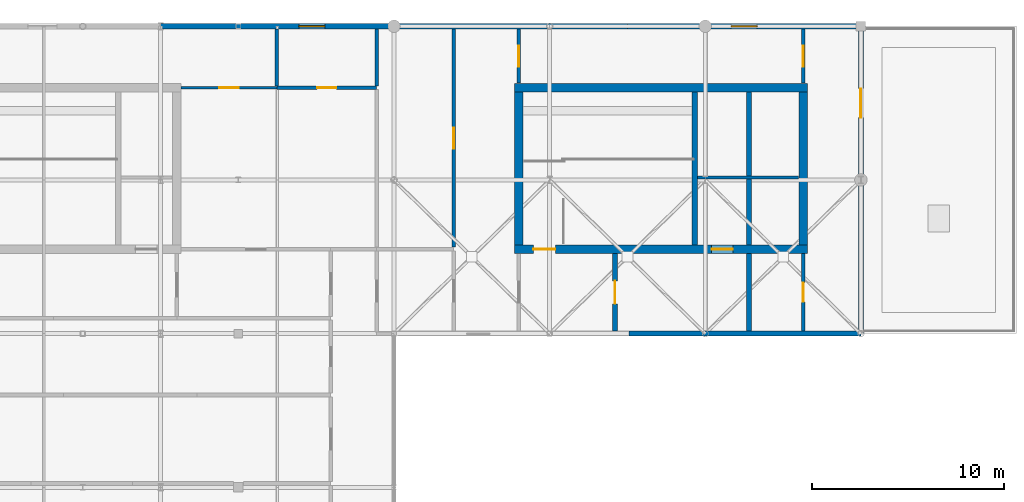
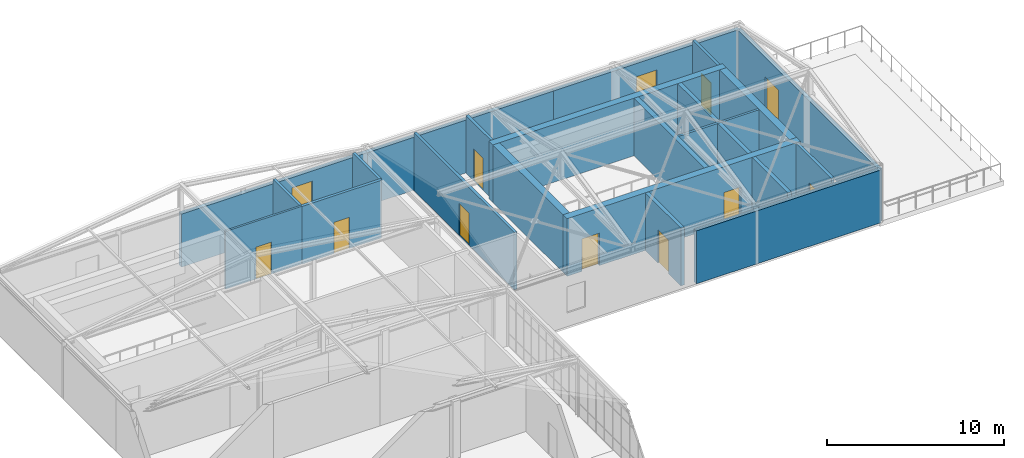
# One storey, part 20 of 21: 22 walls, 10 doors, 2 windows, 12 openings.
"""IFC4 building model written with IfcOpenShell, lengths in metres."""

from ifc_helpers import new_model, si_unit, direction, frame, frame_2d, origin, place, context, subcontext, project, spatial, rectangle, extrude, material, layer, layer_set, type_object, element, fill, save


model = new_model("IFC4")

# Units and contexts
model_context = context("Model", 3, precision=1e-05, world=origin(), true_north=direction((0.0, 1.0)))
body_context = subcontext(model_context, "Body", "Model", "MODEL_VIEW")
ifc_project = project(units=[si_unit("LENGTHUNIT", "METRE"), si_unit("AREAUNIT", "SQUARE_METRE"), si_unit("VOLUMEUNIT", "CUBIC_METRE"), si_unit("PLANEANGLEUNIT", "RADIAN"), si_unit("MASSUNIT", "GRAM", prefix="KILO")], contexts=[model_context])

# Site, building, storey
site_placement = place(None, origin())
site = spatial("IfcSite", under=ifc_project, at=site_placement, CompositionType="ELEMENT")
building_placement = place(site_placement, origin())
building = spatial("IfcBuilding", under=site, at=building_placement, Name="Tarnveldt Square Police Headquarters", CompositionType="ELEMENT")
storey_placement = place(building_placement, frame((0.0, 0.0, 33.300048828125)))
storey = spatial("IfcBuildingStorey", under=building, at=storey_placement, Name="L07", CompositionType="ELEMENT", Elevation=33.300048828125)

# Wall, openings, doors
ifc_material_1 = material(Name="Concrete 50 MPa", Category="concrete")
ifc_layer_1 = layer(ifc_material_1, 0.449951171875)
ifc_layer_set_1 = layer_set([ifc_layer_1], Name="Concrete 50 MPa")
wall_type_1 = type_object("IfcWallType", Name="WL-CORE-450", PredefinedType="SHEAR", material=ifc_layer_set_1)
wall_1_placement = place(storey_placement, frame((46.77490234375, 100.39990234375, 0.0), z_axis=(0.0, 0.0, 1.0), x_axis=(1.0, 0.0, 0.0)))
wall_1 = element("IfcWall", 1, at=wall_1_placement, inside=storey, type_object=wall_type_1, Name="Core K3 North-Central Forensic and Firefighting Core L07 South Shear Wall", PredefinedType="SHEAR", context=body_context, shape_type="SweptSolid", body=[
    extrude(rectangle(XDim=15.25, YDim=0.449951171875, at=frame_2d((7.625, 0.0))), origin(), (0.0, 0.0, 1.0), 3.97998046875),
])
opening_1_placement = place(wall_1_placement, frame((0.97509765625, 0.0, 0.0)))
opening_1 = element("IfcOpeningElement", 2, at=opening_1_placement, cuts=wall_1, Name="Opening D-ST3-L07", PredefinedType="OPENING", context=body_context, shape_type="SweptSolid", body=[
    extrude(rectangle(XDim=1.14990234375, YDim=2.25, at=frame_2d((0.574951171875, 1.125))), frame((0.0, 0.23486328125, 0.0), z_axis=(0.0, -1.0, 0.0), x_axis=(1.0, 0.0, 0.0)), (0.0, 0.0, 1.0), 0.469970703125),
])
opening_2_placement = place(wall_1_placement, frame((10.257568359375, 0.0, 0.0)))
opening_2 = element("IfcOpeningElement", 3, at=opening_2_placement, cuts=wall_1, Name="Opening LD-LF2-L07", PredefinedType="OPENING", context=body_context, shape_type="SweptSolid", body=[
    extrude(rectangle(XDim=1.10009765625, YDim=2.199951171875, at=frame_2d((0.550048828125, 1.10009765625))), frame((0.0, 0.23486328125, 0.0), z_axis=(0.0, -1.0, 0.0), x_axis=(1.0, 0.0, 0.0)), (0.0, 0.0, 1.0), 0.469970703125),
])
ifc_material_2 = material(Name="Insulated hollow metal steel door leaf", Category="steel")
door_type_1 = type_object("IfcDoorType", Name="DR-FD90-1150", OperationType="NOTDEFINED", PredefinedType="DOOR", material=ifc_material_2)
door_1_placement = place(opening_1_placement, origin())
door_1 = element("IfcDoor", 4, at=door_1_placement, inside=storey, type_object=door_type_1, Name="Exit Stair ST3 L07 Fire Door", OperationType="SINGLE_SWING_LEFT", OverallHeight=2.25, OverallWidth=1.14990234375, PredefinedType="DOOR", context=body_context, shape_type="SweptSolid", body=[
    extrude(rectangle(XDim=1.14990234375, YDim=2.25, at=frame_2d((0.574951171875, 1.125))), frame((0.0, 0.02490234375, 0.0), z_axis=(0.0, -1.0, 0.0), x_axis=(1.0, 0.0, 0.0)), (0.0, 0.0, 1.0), 0.050048828125),
])
fill(opening_1, door_1)
ifc_material_3 = material(Name="Steel 350W", Category="steel")
door_type_2 = type_object("IfcDoorType", Name="DR-LD-1100", OperationType="DOUBLE_DOOR_SLIDING", PredefinedType="DOOR", material=ifc_material_3)
door_2_placement = place(opening_2_placement, frame((1.10009765625, 0.0, 0.0), z_axis=(0.0, 0.0, 1.0), x_axis=(-1.0, 0.0, 0.0)))
door_2 = element("IfcDoor", 5, at=door_2_placement, inside=storey, type_object=door_type_2, Name="Elevator LF2 L07 Sliding Landing Door", OperationType="DOUBLE_DOOR_SLIDING", OverallHeight=2.199951171875, OverallWidth=1.10009765625, PredefinedType="DOOR", context=body_context, shape_type="SweptSolid", body=[
    extrude(rectangle(XDim=1.10009765625, YDim=2.199951171875, at=frame_2d((0.550048828125, 1.10009765625))), frame((0.0, 0.02490234375, 0.0), z_axis=(0.0, -1.0, 0.0), x_axis=(1.0, 0.0, 0.0)), (0.0, 0.0, 1.0), 0.050048828125),
])
fill(opening_2, door_2)

# Walls
wall_2_placement = place(storey_placement, frame((46.77490234375, 108.800048828125, 0.0), z_axis=(0.0, 0.0, 1.0), x_axis=(1.0, 0.0, 0.0)))
element("IfcWall", 6, at=wall_2_placement, inside=storey, type_object=wall_type_1, Name="Core K3 North-Central Forensic and Firefighting Core L07 North Shear Wall", PredefinedType="SHEAR", context=body_context, shape_type="SweptSolid", body=[
    extrude(rectangle(XDim=15.25, YDim=0.449951171875, at=frame_2d((7.625, 0.0))), origin(), (0.0, 0.0, 1.0), 3.97998046875),
])
for number, where, z_axis, x_axis, name in (
    (7, (47.0, 100.625, 0.0), (0.0, 0.0, 1.0), (0.0, 1.0, 0.0), "Core K3 North-Central Forensic and Firefighting Core L07 West Shear Wall"),
    (8, (61.800048828125, 100.625, 0.0), (0.0, 0.0, 1.0), (0.0, 1.0, 0.0), "Core K3 North-Central Forensic and Firefighting Core L07 East Shear Wall"),
):
    element("IfcWall", number, at=place(storey_placement, frame(where, z_axis=z_axis, x_axis=x_axis)), inside=storey, type_object=wall_type_1, Name=name, PredefinedType="SHEAR", context=body_context, shape_type="SweptSolid", body=[
        extrude(rectangle(XDim=7.949951171875, YDim=0.449951171875, at=frame_2d((3.97509765625, 0.0))), origin(), (0.0, 0.0, 1.0), 3.97998046875),
    ])
wall_3_placement = place(storey_placement, frame((56.14990234375, 100.625, 0.0), z_axis=(0.0, 0.0, 1.0), x_axis=(0.0, 1.0, 0.0)))
element("IfcWall", 9, at=wall_3_placement, inside=storey, type_object=wall_type_1, Name="Core K3 North-Central Forensic and Firefighting Core L07 Stair-Lift Divider Shear Wall", PredefinedType="SHEAR", context=body_context, shape_type="SweptSolid", body=[
    extrude(rectangle(XDim=7.949951171875, YDim=0.300048828125, at=frame_2d((3.97509765625, 0.0))), origin(), (0.0, 0.0, 1.0), 3.97998046875),
])
wall_4_placement = place(storey_placement, frame((58.97509765625, 100.625, 0.0), z_axis=(0.0, 0.0, 1.0), x_axis=(0.0, 1.0, 0.0)))
element("IfcWall", 10, at=wall_4_placement, inside=storey, type_object=wall_type_1, Name="Core K3 North-Central Forensic and Firefighting Core L07 Dual-Lift Shaft Divider Wall", PredefinedType="SHEAR", context=body_context, shape_type="SweptSolid", body=[
    extrude(rectangle(XDim=7.949951171875, YDim=0.25, at=frame_2d((3.97509765625, 0.0))), origin(), (0.0, 0.0, 1.0), 3.97998046875),
])
ifc_material_4 = material(Name="Precast concrete 35 MPa", Category="concrete")
ifc_layer_2 = layer(ifc_material_4, 0.260009765625)
ifc_layer_set_2 = layer_set([ifc_layer_2], Name="Precast concrete 35 MPa")
wall_type_2 = type_object("IfcWallType", Name="WL-EXT-PC260", PredefinedType="SOLIDWALL", material=ifc_layer_set_2)
wall_5_placement = place(storey_placement, frame((52.739990234375, 96.0, 0.0), z_axis=(0.0, 0.0, 1.0), x_axis=(1.0, 0.0, 0.0)))
element("IfcWall", 11, at=wall_5_placement, inside=storey, type_object=wall_type_2, Name="L07 Brutalist Exterior Wall 0245", PredefinedType="SOLIDWALL", context=body_context, shape_type="SweptSolid", body=[
    extrude(rectangle(XDim=12.06005859375, YDim=0.260009765625, at=frame_2d((6.030029296875, 0.0))), origin(), (0.0, 0.0, 1.0), 3.655029296875),
])

# Wall, opening, door
wall_6_placement = place(storey_placement, frame((64.800048828125, 96.0, 0.0), z_axis=(0.0, 0.0, 1.0), x_axis=(0.0, 1.0, 0.0)))
wall_6 = element("IfcWall", 12, at=wall_6_placement, inside=storey, type_object=wall_type_2, Name="L07 Brutalist Exterior Wall 0246", PredefinedType="SOLIDWALL", context=body_context, shape_type="SweptSolid", body=[
    extrude(rectangle(XDim=16.0, YDim=0.260009765625, at=frame_2d((8.0, 0.0))), origin(), (0.0, 0.0, 1.0), 3.655029296875),
])
opening_3_placement = place(wall_6_placement, frame((11.25, 0.0, 0.0)))
opening_3 = element("IfcOpeningElement", 13, at=opening_3_placement, cuts=wall_6, Name="Opening DT3", PredefinedType="OPENING", context=body_context, shape_type="SweptSolid", body=[
    extrude(rectangle(XDim=1.5, YDim=2.300048828125, at=frame_2d((0.75, 1.14990234375))), frame((0.0, 0.139892578125, 0.0), z_axis=(0.0, -1.0, 0.0), x_axis=(1.0, 0.0, 0.0)), (0.0, 0.0, 1.0), 0.280029296875),
])
ifc_material_5 = material(Name="Thermally broken anodised aluminium 6063-T6", Category="aluminium")
door_type_3 = type_object("IfcDoorType", Name="DR-TER-1500", OperationType="DOUBLE_DOOR_SINGLE_SWING", PredefinedType="DOOR", material=ifc_material_5)
door_3_placement = place(opening_3_placement, frame((1.5, 0.0, 0.0), z_axis=(0.0, 0.0, 1.0), x_axis=(-1.0, 0.0, 0.0)))
door_3 = element("IfcDoor", 14, at=door_3_placement, inside=storey, type_object=door_type_3, Name="Executive North Overlook Terrace Access Door", OperationType="DOUBLE_DOOR_SINGLE_SWING", OverallHeight=2.300048828125, OverallWidth=1.5, PredefinedType="DOOR", context=body_context, shape_type="SweptSolid", body=[
    extrude(rectangle(XDim=1.5, YDim=2.300048828125, at=frame_2d((0.75, 1.14990234375))), frame((0.0, 0.02490234375, 0.0), z_axis=(0.0, -1.0, 0.0), x_axis=(1.0, 0.0, 0.0)), (0.0, 0.0, 1.0), 0.050048828125),
])
fill(opening_3, door_3)

# Wall, opening, window
ifc_layer_3 = layer(ifc_material_4, 0.280029296875)
ifc_layer_set_3 = layer_set([ifc_layer_3], Name="Precast concrete 35 MPa")
wall_type_3 = type_object("IfcWallType", Name="WL-EXT-PC280", PredefinedType="SOLIDWALL", material=ifc_layer_set_3)
wall_7_placement = place(storey_placement, frame((64.800048828125, 112.0, 0.0), z_axis=(0.0, 0.0, 1.0), x_axis=(-1.0, 0.0, 0.0)))
wall_7 = element("IfcWall", 15, at=wall_7_placement, inside=storey, type_object=wall_type_3, Name="L07 Brutalist Exterior Wall 0247", PredefinedType="SOLIDWALL", context=body_context, shape_type="SweptSolid", body=[
    extrude(rectangle(XDim=12.150146484375, YDim=0.280029296875, at=frame_2d((6.0751953125, 0.0))), origin(), (0.0, 0.0, 1.0), 3.655029296875),
])
opening_4_placement = place(wall_7_placement, frame((5.39990234375, 0.0, 0.949951171875)))
opening_4 = element("IfcOpeningElement", 16, at=opening_4_placement, cuts=wall_7, Name="Opening W05", PredefinedType="OPENING", context=body_context, shape_type="SweptSolid", body=[
    extrude(rectangle(XDim=1.35009765625, YDim=1.800048828125, at=frame_2d((0.675048828125, 0.89990234375))), frame((0.0, 0.14990234375, 0.0), z_axis=(0.0, -1.0, 0.0), x_axis=(1.0, 0.0, 0.0)), (0.0, 0.0, 1.0), 0.300048828125),
])
ifc_material_6 = material(Name="Triple-glazed low-e laminated vision glass", Category="glass")
window_type_1 = type_object("IfcWindowType", Name="WIN-DR-135x180", PartitioningType="DOUBLE_PANEL_VERTICAL", PredefinedType="WINDOW", material=ifc_material_6)
window_1_placement = place(opening_4_placement, origin())
window_1 = element("IfcWindow", 17, at=window_1_placement, inside=storey, type_object=window_type_1, Name="L07 Deep-Reveal Brutalist Window 0125", OverallHeight=1.800048828125, OverallWidth=1.35009765625, PartitioningType="DOUBLE_PANEL_VERTICAL", PredefinedType="WINDOW", context=body_context, shape_type="SweptSolid", body=[
    extrude(rectangle(XDim=1.35009765625, YDim=1.800048828125, at=frame_2d((0.675048828125, 0.89990234375))), frame((0.0, 0.030029296875, 0.0), z_axis=(0.0, -1.0, 0.0), x_axis=(1.0, 0.0, 0.0)), (0.0, 0.0, 1.0), 0.06005859375),
])
fill(opening_4, window_1)

# Wall
wall_8_placement = place(storey_placement, frame((52.64990234375, 112.0, 0.0), z_axis=(0.0, 0.0, 1.0), x_axis=(-1.0, 0.0, 0.0)))
element("IfcWall", 18, at=wall_8_placement, inside=storey, type_object=wall_type_3, Name="L07 Brutalist Exterior Wall 0248", PredefinedType="SOLIDWALL", context=body_context, shape_type="SweptSolid", body=[
    extrude(rectangle(XDim=12.14990234375, YDim=0.280029296875, at=frame_2d((6.074951171875, 0.0))), origin(), (0.0, 0.0, 1.0), 3.655029296875),
])

# Wall, opening, window
wall_9_placement = place(storey_placement, frame((40.5, 112.0, 0.0), z_axis=(0.0, 0.0, 1.0), x_axis=(-1.0, 0.0, 0.0)))
wall_9 = element("IfcWall", 19, at=wall_9_placement, inside=storey, type_object=wall_type_3, Name="L07 Brutalist Exterior Wall 0249", PredefinedType="SOLIDWALL", context=body_context, shape_type="SweptSolid", body=[
    extrude(rectangle(XDim=12.14990234375, YDim=0.280029296875, at=frame_2d((6.074951171875, 0.0))), origin(), (0.0, 0.0, 1.0), 3.655029296875),
])
opening_5_placement = place(wall_9_placement, frame((3.60009765625, 0.0, 0.85009765625)))
opening_5 = element("IfcOpeningElement", 20, at=opening_5_placement, cuts=wall_9, Name="Opening W06", PredefinedType="OPENING", context=body_context, shape_type="SweptSolid", body=[
    extrude(rectangle(XDim=1.35009765625, YDim=2.10009765625, at=frame_2d((0.675048828125, 1.050048828125))), frame((0.0, 0.14990234375, 0.0), z_axis=(0.0, -1.0, 0.0), x_axis=(1.0, 0.0, 0.0)), (0.0, 0.0, 1.0), 0.300048828125),
])
window_type_2 = type_object("IfcWindowType", Name="WIN-DR-135x210", PartitioningType="DOUBLE_PANEL_VERTICAL", PredefinedType="WINDOW", material=ifc_material_6)
window_2_placement = place(opening_5_placement, origin())
window_2 = element("IfcWindow", 21, at=window_2_placement, inside=storey, type_object=window_type_2, Name="L07 Deep-Reveal Brutalist Window 0126", OverallHeight=2.10009765625, OverallWidth=1.35009765625, PartitioningType="DOUBLE_PANEL_VERTICAL", PredefinedType="WINDOW", context=body_context, shape_type="SweptSolid", body=[
    extrude(rectangle(XDim=1.35009765625, YDim=2.10009765625, at=frame_2d((0.675048828125, 1.050048828125))), frame((0.0, 0.030029296875, 0.0), z_axis=(0.0, -1.0, 0.0), x_axis=(1.0, 0.0, 0.0)), (0.0, 0.0, 1.0), 0.06005859375),
])
fill(opening_5, window_2)

# Wall, opening, door
ifc_material_7 = material(Name="Fire-rated Type X gypsum board on steel studs", Category="steel")
ifc_layer_4 = layer(ifc_material_7, 0.179931640625)
ifc_layer_set_4 = layer_set([ifc_layer_4], Name="Fire-rated Type X gypsum board on steel studs")
wall_type_4 = type_object("IfcWallType", Name="WL-FIRE-180", PredefinedType="PARTITIONING", material=ifc_layer_set_4)
wall_10_placement = place(storey_placement, frame((34.39990234375, 108.800048828125, 0.0), z_axis=(0.0, 0.0, 1.0), x_axis=(1.0, 0.0, 0.0)))
wall_10 = element("IfcWall", 22, at=wall_10_placement, inside=storey, type_object=wall_type_4, Name="L07 Interior Partition Wall 0747", PredefinedType="PARTITIONING", context=body_context, shape_type="SweptSolid", body=[
    extrude(rectangle(XDim=5.2001953125, YDim=0.179931640625, at=frame_2d((2.60009765625, 0.0))), origin(), (0.0, 0.0, 1.0), 3.97998046875),
])
opening_6_placement = place(wall_10_placement, frame((2.10009765625, 0.0, 0.0)))
opening_6 = element("IfcOpeningElement", 23, at=opening_6_placement, cuts=wall_10, Name="Opening D14", PredefinedType="OPENING", context=body_context, shape_type="SweptSolid", body=[
    extrude(rectangle(XDim=1.0, YDim=2.14990234375, at=frame_2d((0.5, 1.074951171875))), frame((0.0, 0.099853515625, 0.0), z_axis=(0.0, -1.0, 0.0), x_axis=(1.0, 0.0, 0.0)), (0.0, 0.0, 1.0), 0.199951171875),
])
door_type_4 = type_object("IfcDoorType", Name="DR-FD60-1000", OperationType="NOTDEFINED", PredefinedType="DOOR", material=ifc_material_2)
door_4_placement = place(opening_6_placement, origin())
door_4 = element("IfcDoor", 24, at=door_4_placement, inside=storey, type_object=door_type_4, Name="Electrical Distribution Room L07 Door", OperationType="SINGLE_SWING_RIGHT", OverallHeight=2.14990234375, OverallWidth=1.0, PredefinedType="DOOR", context=body_context, shape_type="SweptSolid", body=[
    extrude(rectangle(XDim=1.0, YDim=2.14990234375, at=frame_2d((0.5, 1.074951171875))), frame((0.0, 0.02490234375, 0.0), z_axis=(0.0, -1.0, 0.0), x_axis=(1.0, 0.0, 0.0)), (0.0, 0.0, 1.0), 0.050048828125),
])
fill(opening_6, door_4)

# Walls
for number, where, z_axis, x_axis, name in (
    (25, (34.39990234375, 108.89794921875, 0.0), (0.0, 0.0, 1.0), (0.0, 1.0, 0.0), "L07 Interior Partition Wall 0755"),
    (26, (39.60009765625, 108.89794921875, 0.0), (0.0, 0.0, 1.0), (0.0, 1.0, 0.0), "L07 Interior Partition Wall 0769"),
):
    element("IfcWall", number, at=place(storey_placement, frame(where, z_axis=z_axis, x_axis=x_axis)), inside=storey, type_object=wall_type_4, Name=name, PredefinedType="PARTITIONING", context=body_context, shape_type="SweptSolid", body=[
        extrude(rectangle(XDim=2.9541015625, YDim=0.179931640625, at=frame_2d((1.47705078125, 0.0))), origin(), (0.0, 0.0, 1.0), 3.97998046875),
    ])

# Wall, opening, door
wall_11_placement = place(storey_placement, frame((43.60009765625, 100.498046875, 0.0), z_axis=(0.0, 0.0, 1.0), x_axis=(0.0, 1.0, 0.0)))
wall_11 = element("IfcWall", 27, at=wall_11_placement, inside=storey, type_object=wall_type_4, Name="L07 Interior Partition Wall 0771", PredefinedType="PARTITIONING", context=body_context, shape_type="SweptSolid", body=[
    extrude(rectangle(XDim=11.35400390625, YDim=0.179931640625, at=frame_2d((5.677001953125, 0.0))), origin(), (0.0, 0.0, 1.0), 3.97998046875),
])
opening_7_placement = place(wall_11_placement, frame((5.126953125, 0.0, 0.0)))
opening_7 = element("IfcOpeningElement", 28, at=opening_7_placement, cuts=wall_11, Name="Opening D07", PredefinedType="OPENING", context=body_context, shape_type="SweptSolid", body=[
    extrude(rectangle(XDim=1.10009765625, YDim=2.199951171875, at=frame_2d((0.550048828125, 1.10009765625))), frame((0.0, 0.099853515625, 0.0), z_axis=(0.0, -1.0, 0.0), x_axis=(1.0, 0.0, 0.0)), (0.0, 0.0, 1.0), 0.199951171875),
])
ifc_material_8 = material(Name="Solid core architectural birch door leaf", Category="wood")
door_type_5 = type_object("IfcDoorType", Name="DR-INT-1100", OperationType="NOTDEFINED", PredefinedType="DOOR", material=ifc_material_8)
door_5_placement = place(opening_7_placement, origin())
door_5 = element("IfcDoor", 29, at=door_5_placement, inside=storey, type_object=door_type_5, Name="Police Board Executive Conference Suite Door", OperationType="SINGLE_SWING_LEFT", OverallHeight=2.199951171875, OverallWidth=1.10009765625, PredefinedType="DOOR", context=body_context, shape_type="SweptSolid", body=[
    extrude(rectangle(XDim=1.10009765625, YDim=2.199951171875, at=frame_2d((0.550048828125, 1.10009765625))), frame((0.0, 0.02490234375, 0.0), z_axis=(0.0, -1.0, 0.0), x_axis=(1.0, 0.0, 0.0)), (0.0, 0.0, 1.0), 0.050048828125),
])
fill(opening_7, door_5)

wall_12_placement = place(storey_placement, frame((47.0, 109.032958984375, 0.0), z_axis=(0.0, 0.0, 1.0), x_axis=(0.0, 1.0, 0.0)))
wall_12 = element("IfcWall", 30, at=wall_12_placement, inside=storey, type_object=wall_type_4, Name="L07 Interior Partition Wall 0773", PredefinedType="PARTITIONING", context=body_context, shape_type="SweptSolid", body=[
    extrude(rectangle(XDim=2.819091796875, YDim=0.179931640625, at=frame_2d((1.40966796875, 0.0))), origin(), (0.0, 0.0, 1.0), 3.97998046875),
])
opening_8_placement = place(wall_12_placement, frame((0.859619140625, 0.0, 0.0)))
opening_8 = element("IfcOpeningElement", 31, at=opening_8_placement, cuts=wall_12, Name="Opening D15", PredefinedType="OPENING", context=body_context, shape_type="SweptSolid", body=[
    extrude(rectangle(XDim=1.10009765625, YDim=2.199951171875, at=frame_2d((0.550048828125, 1.10009765625))), frame((0.0, 0.099853515625, 0.0), z_axis=(0.0, -1.0, 0.0), x_axis=(1.0, 0.0, 0.0)), (0.0, 0.0, 1.0), 0.199951171875),
])
door_type_6 = type_object("IfcDoorType", Name="DR-FD60-1100", OperationType="NOTDEFINED", PredefinedType="DOOR", material=ifc_material_2)
door_6_placement = place(opening_8_placement, frame((1.10009765625, 0.0, 0.0), z_axis=(0.0, 0.0, 1.0), x_axis=(-1.0, 0.0, 0.0)))
door_6 = element("IfcDoor", 32, at=door_6_placement, inside=storey, type_object=door_type_6, Name="Core K3 North Corridor L07 Door", OperationType="SINGLE_SWING_LEFT", OverallHeight=2.199951171875, OverallWidth=1.10009765625, PredefinedType="DOOR", context=body_context, shape_type="SweptSolid", body=[
    extrude(rectangle(XDim=1.10009765625, YDim=2.199951171875, at=frame_2d((0.550048828125, 1.10009765625))), frame((0.0, 0.02490234375, 0.0), z_axis=(0.0, -1.0, 0.0), x_axis=(1.0, 0.0, 0.0)), (0.0, 0.0, 1.0), 0.050048828125),
])
fill(opening_8, door_6)

wall_13_placement = place(storey_placement, frame((61.800048828125, 96.137939453125, 0.0), z_axis=(0.0, 0.0, 1.0), x_axis=(0.0, 1.0, 0.0)))
wall_13 = element("IfcWall", 33, at=wall_13_placement, inside=storey, type_object=wall_type_4, Name="L07 Interior Partition Wall 0776", PredefinedType="PARTITIONING", context=body_context, shape_type="SweptSolid", body=[
    extrude(rectangle(XDim=4.029052734375, YDim=0.179931640625, at=frame_2d((2.0146484375, 0.0))), origin(), (0.0, 0.0, 1.0), 3.97998046875),
])
opening_9_placement = place(wall_13_placement, frame((1.514404296875, 0.0, 0.0)))
opening_9 = element("IfcOpeningElement", 34, at=opening_9_placement, cuts=wall_13, Name="Opening D14", PredefinedType="OPENING", context=body_context, shape_type="SweptSolid", body=[
    extrude(rectangle(XDim=1.0, YDim=2.14990234375, at=frame_2d((0.5, 1.074951171875))), frame((0.0, 0.099853515625, 0.0), z_axis=(0.0, -1.0, 0.0), x_axis=(1.0, 0.0, 0.0)), (0.0, 0.0, 1.0), 0.199951171875),
])
door_7_placement = place(opening_9_placement, origin())
door_7 = element("IfcDoor", 35, at=door_7_placement, inside=storey, type_object=door_type_4, Name="Board Confidential Registry Office L07 Door", OperationType="SINGLE_SWING_LEFT", OverallHeight=2.14990234375, OverallWidth=1.0, PredefinedType="DOOR", context=body_context, shape_type="SweptSolid", body=[
    extrude(rectangle(XDim=1.0, YDim=2.14990234375, at=frame_2d((0.5, 1.074951171875))), frame((0.0, 0.02490234375, 0.0), z_axis=(0.0, -1.0, 0.0), x_axis=(1.0, 0.0, 0.0)), (0.0, 0.0, 1.0), 0.050048828125),
])
fill(opening_9, door_7)

wall_14_placement = place(storey_placement, frame((61.800048828125, 109.032958984375, 0.0), z_axis=(0.0, 0.0, 1.0), x_axis=(0.0, 1.0, 0.0)))
wall_14 = element("IfcWall", 36, at=wall_14_placement, inside=storey, type_object=wall_type_4, Name="L07 Interior Partition Wall 0777", PredefinedType="PARTITIONING", context=body_context, shape_type="SweptSolid", body=[
    extrude(rectangle(XDim=2.819091796875, YDim=0.179931640625, at=frame_2d((1.40966796875, 0.0))), origin(), (0.0, 0.0, 1.0), 3.97998046875),
])
opening_10_placement = place(wall_14_placement, frame((0.859619140625, 0.0, 0.0)))
opening_10 = element("IfcOpeningElement", 37, at=opening_10_placement, cuts=wall_14, Name="Opening D07", PredefinedType="OPENING", context=body_context, shape_type="SweptSolid", body=[
    extrude(rectangle(XDim=1.10009765625, YDim=2.199951171875, at=frame_2d((0.550048828125, 1.10009765625))), frame((0.0, 0.099853515625, 0.0), z_axis=(0.0, -1.0, 0.0), x_axis=(1.0, 0.0, 0.0)), (0.0, 0.0, 1.0), 0.199951171875),
])
door_8_placement = place(opening_10_placement, frame((1.10009765625, 0.0, 0.0), z_axis=(0.0, 0.0, 1.0), x_axis=(-1.0, 0.0, 0.0)))
door_8 = element("IfcDoor", 38, at=door_8_placement, inside=storey, type_object=door_type_5, Name="Executive North Terrace Reception Lounge Door", OperationType="SINGLE_SWING_RIGHT", OverallHeight=2.199951171875, OverallWidth=1.10009765625, PredefinedType="DOOR", context=body_context, shape_type="SweptSolid", body=[
    extrude(rectangle(XDim=1.10009765625, YDim=2.199951171875, at=frame_2d((0.550048828125, 1.10009765625))), frame((0.0, 0.02490234375, 0.0), z_axis=(0.0, -1.0, 0.0), x_axis=(1.0, 0.0, 0.0)), (0.0, 0.0, 1.0), 0.050048828125),
])
fill(opening_10, door_8)

ifc_material_9 = material(Name="Concrete block masonry 15 MPa", Category="masonry")
ifc_layer_5 = layer(ifc_material_9, 0.239990234375)
ifc_layer_set_5 = layer_set([ifc_layer_5], Name="Concrete block masonry 15 MPa")
wall_type_5 = type_object("IfcWallType", Name="WL-FIRE-240", PredefinedType="PARTITIONING", material=ifc_layer_set_5)
wall_15_placement = place(storey_placement, frame((52.0, 96.137939453125, 0.0), z_axis=(0.0, 0.0, 1.0), x_axis=(0.0, 1.0, 0.0)))
wall_15 = element("IfcWall", 39, at=wall_15_placement, inside=storey, type_object=wall_type_5, Name="L07 Interior Partition Wall 0774", PredefinedType="PARTITIONING", context=body_context, shape_type="SweptSolid", body=[
    extrude(rectangle(XDim=4.029052734375, YDim=0.239990234375, at=frame_2d((2.0146484375, 0.0))), origin(), (0.0, 0.0, 1.0), 3.97998046875),
])
opening_11_placement = place(wall_15_placement, frame((1.41455078125, 0.0, 0.0)))
opening_11 = element("IfcOpeningElement", 40, at=opening_11_placement, cuts=wall_15, Name="Opening D20", PredefinedType="OPENING", context=body_context, shape_type="SweptSolid", body=[
    extrude(rectangle(XDim=1.199951171875, YDim=2.300048828125, at=frame_2d((0.60009765625, 1.14990234375))), frame((0.0, 0.1298828125, 0.0), z_axis=(0.0, -1.0, 0.0), x_axis=(1.0, 0.0, 0.0)), (0.0, 0.0, 1.0), 0.260009765625),
])
door_type_7 = type_object("IfcDoorType", Name="DR-FD90-1200", OperationType="NOTDEFINED", PredefinedType="DOOR", material=ifc_material_2)
door_9_placement = place(opening_11_placement, origin())
door_9 = element("IfcDoor", 41, at=door_9_placement, inside=storey, type_object=door_type_7, Name="Firefighting Lift Lobby K3-L07 Door", OperationType="SINGLE_SWING_RIGHT", OverallHeight=2.300048828125, OverallWidth=1.199951171875, PredefinedType="DOOR", context=body_context, shape_type="SweptSolid", body=[
    extrude(rectangle(XDim=1.199951171875, YDim=2.300048828125, at=frame_2d((0.60009765625, 1.14990234375))), frame((0.0, 0.02490234375, 0.0), z_axis=(0.0, -1.0, 0.0), x_axis=(1.0, 0.0, 0.0)), (0.0, 0.0, 1.0), 0.050048828125),
])
fill(opening_11, door_9)

# Wall
wall_16_placement = place(storey_placement, frame((58.97509765625, 96.137939453125, 0.0), z_axis=(0.0, 0.0, 1.0), x_axis=(0.0, 1.0, 0.0)))
element("IfcWall", 42, at=wall_16_placement, inside=storey, type_object=wall_type_5, Name="L07 Interior Partition Wall 0775", PredefinedType="PARTITIONING", context=body_context, shape_type="SweptSolid", body=[
    extrude(rectangle(XDim=4.029052734375, YDim=0.239990234375, at=frame_2d((2.0146484375, 0.0))), origin(), (0.0, 0.0, 1.0), 3.97998046875),
])

# Wall, opening, door
ifc_layer_6 = layer(ifc_material_7, 0.1298828125)
ifc_layer_set_6 = layer_set([ifc_layer_6], Name="Fire-rated Type X gypsum board on steel studs")
wall_type_6 = type_object("IfcWallType", Name="WL-PART-130", PredefinedType="PARTITIONING", material=ifc_layer_set_6)
wall_17_placement = place(storey_placement, frame((29.425048828125, 108.800048828125, 0.0), z_axis=(0.0, 0.0, 1.0), x_axis=(1.0, 0.0, 0.0)))
wall_17 = element("IfcWall", 43, at=wall_17_placement, inside=storey, type_object=wall_type_6, Name="L07 Interior Partition Wall 0742", PredefinedType="PARTITIONING", context=body_context, shape_type="SweptSolid", body=[
    extrude(rectangle(XDim=4.974853515625, YDim=0.1298828125, at=frame_2d((2.4873046875, 0.0))), origin(), (0.0, 0.0, 1.0), 3.97998046875),
])
opening_12_placement = place(wall_17_placement, frame((1.987548828125, 0.0, 0.0)))
opening_12 = element("IfcOpeningElement", 44, at=opening_12_placement, cuts=wall_17, Name="Opening D05", PredefinedType="OPENING", context=body_context, shape_type="SweptSolid", body=[
    extrude(rectangle(XDim=1.0, YDim=2.199951171875, at=frame_2d((0.5, 1.10009765625))), frame((0.0, 0.074951171875, 0.0), z_axis=(0.0, -1.0, 0.0), x_axis=(1.0, 0.0, 0.0)), (0.0, 0.0, 1.0), 0.14990234375),
])
door_type_8 = type_object("IfcDoorType", Name="DR-INT-1000", OperationType="NOTDEFINED", PredefinedType="DOOR", material=ifc_material_8)
door_10_placement = place(opening_12_placement, origin())
door_10 = element("IfcDoor", 45, at=door_10_placement, inside=storey, type_object=door_type_8, Name="Police Board Policy Archive Room Door", OperationType="SINGLE_SWING_LEFT", OverallHeight=2.199951171875, OverallWidth=1.0, PredefinedType="DOOR", context=body_context, shape_type="SweptSolid", body=[
    extrude(rectangle(XDim=1.0, YDim=2.199951171875, at=frame_2d((0.5, 1.10009765625))), frame((0.0, 0.02490234375, 0.0), z_axis=(0.0, -1.0, 0.0), x_axis=(1.0, 0.0, 0.0)), (0.0, 0.0, 1.0), 0.050048828125),
])
fill(opening_12, door_10)

# Wall
ifc_layer_7 = layer(ifc_material_7, 0.14990234375)
ifc_layer_set_7 = layer_set([ifc_layer_7], Name="Fire-rated Type X gypsum board on steel studs")
wall_type_7 = type_object("IfcWallType", Name="WL-SHAFT-150", PredefinedType="PARTITIONING", material=ifc_layer_set_7)
wall_18_placement = place(storey_placement, frame((56.300048828125, 104.1201171875, 0.0), z_axis=(0.0, 0.0, 1.0), x_axis=(1.0, 0.0, 0.0)))
element("IfcWall", 46, at=wall_18_placement, inside=storey, type_object=wall_type_7, Name="K3 L07 Elevator Shaft Back Wall", PredefinedType="PARTITIONING", context=body_context, shape_type="SweptSolid", body=[
    extrude(rectangle(XDim=5.25, YDim=0.14990234375, at=frame_2d((2.625, 0.0))), origin(), (0.0, 0.0, 1.0), 3.97998046875),
])

save(model, "model.ifc")
